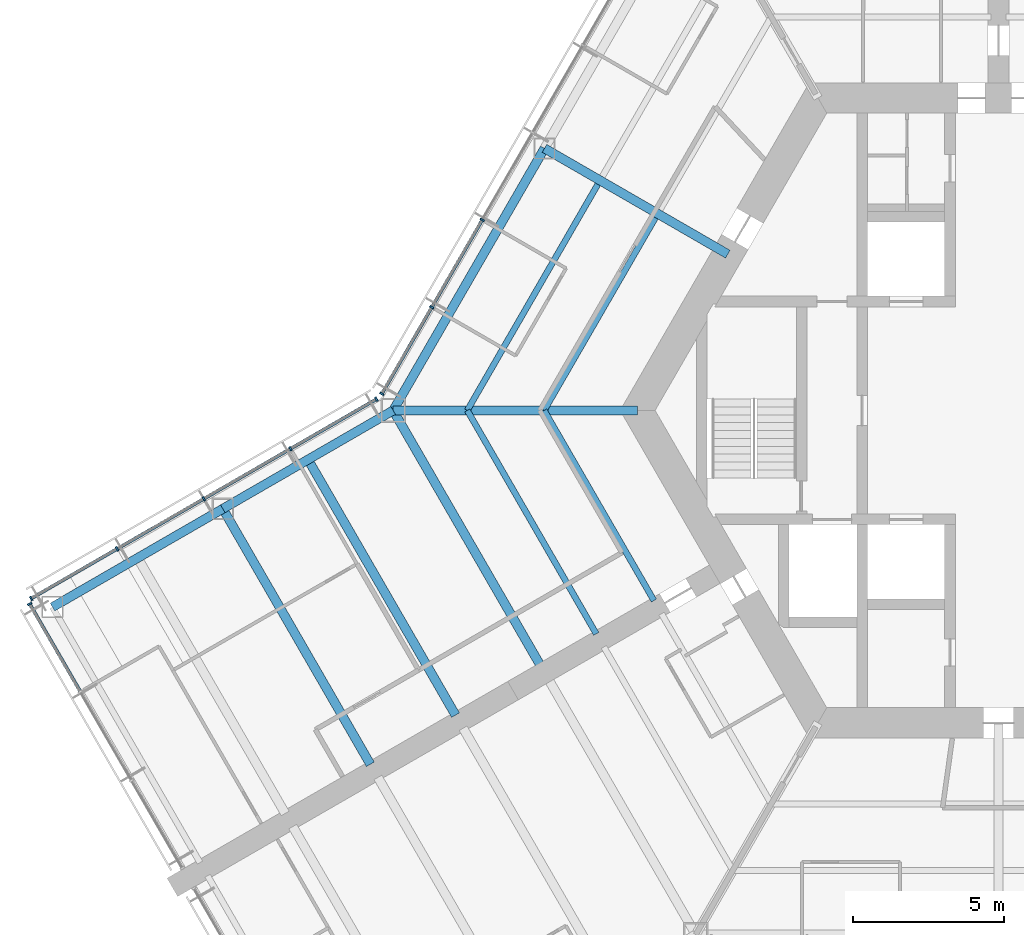
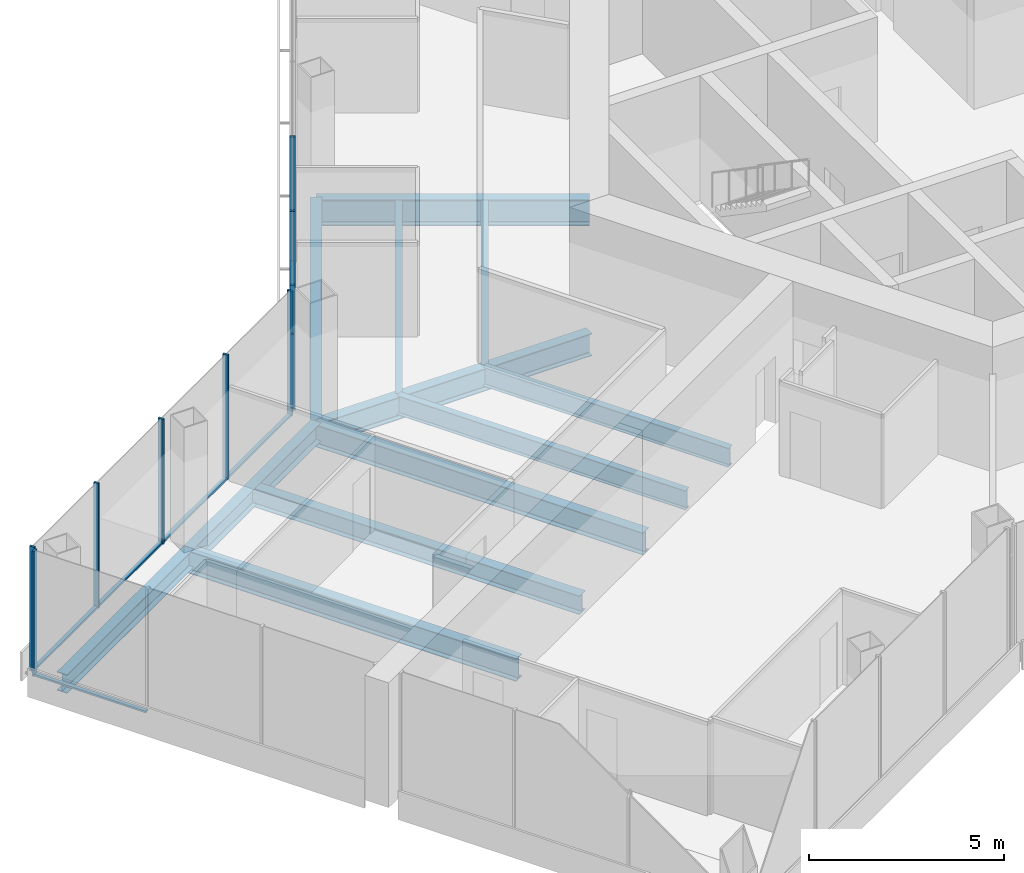
# One storey, part 4 of 18: 16 members, 12 beams, 3 elements without a shape of their own.
"""IFC4 building model written with IfcOpenShell, lengths in metres."""

import ifcopenshell
import ifcopenshell.guid

model = None  # the IFC model being written
_history = None  # IfcOwnerHistory: only IFC2X3 demands one
_inside = {}  # id of a spatial element -> (the spatial element, [elements in it])
_under = {}  # id of a project, library or spatial element -> (it, [spatial elements below it])
_declared = {}  # id of a project -> (the project, [libraries it declares])
_typed = {}  # id of a type object -> (the type object, [elements of that type])
_made_of = {}  # id of a material, layer set ... -> (it, [elements and type objects made of it])


def new_model(schema):
    """Start an empty IFC model of exactly this schema.

    Asked for "IFC4X3", IfcOpenShell would pick the latest addendum, in which some entities
    have other attributes; the version numbers below select the first issue.
    IFC2X3 requires an IfcOwnerHistory on every rooted entity: one is made here for all.
    """
    global model, _history
    if schema == "IFC4X3":
        model = ifcopenshell.file(schema_version=(4, 3, 0, 0))
    else:
        model = ifcopenshell.file(schema=schema)
    _inside.clear()
    _under.clear()
    _declared.clear()
    _typed.clear()
    _made_of.clear()
    _history = None
    if model.schema == "IFC2X3":
        org = make("IfcOrganization", Name="unknown")
        user = make(
            "IfcPersonAndOrganization",
            ThePerson=make("IfcPerson", FamilyName="unknown"),
            TheOrganization=org,
        )
        app = make(
            "IfcApplication",
            ApplicationDeveloper=org,
            Version="unknown",
            ApplicationFullName="unknown",
            ApplicationIdentifier="unknown",
        )
        _history = make(
            "IfcOwnerHistory",
            OwningUser=user,
            OwningApplication=app,
            ChangeAction="ADDED",
            CreationDate=0,
        )
    return model


def make(cls, **values):
    """One entity of the class cls with the attributes given. An attribute that is None is left unset."""
    return model.create_entity(
        cls, **{name: value for name, value in values.items() if value is not None}
    )


def rooted(cls, **values):
    """An entity with a GlobalId (a new one), such as an element, a storey or a relation."""
    return make(cls, GlobalId=ifcopenshell.guid.new(), OwnerHistory=_history, **values)


def si_unit(unit_type, name, prefix=None):
    """IfcSIUnit, for example si_unit("LENGTHUNIT", "METRE", prefix="MILLI")."""
    return make("IfcSIUnit", UnitType=unit_type, Prefix=prefix, Name=name)


def assignment(units):
    """IfcUnitAssignment: the units of a project."""
    return None if units is None else make("IfcUnitAssignment", Units=units)


def point(xyz):
    """IfcCartesianPoint."""
    return None if xyz is None else make("IfcCartesianPoint", Coordinates=xyz)


def direction(xyz):
    """IfcDirection."""
    return None if xyz is None else make("IfcDirection", DirectionRatios=xyz)


def frame(location, z_axis=None, x_axis=None):
    """IfcAxis2Placement3D, a coordinate frame: its origin and axes. An axis left out is left unset."""
    return make(
        "IfcAxis2Placement3D",
        Location=point(location),
        Axis=direction(z_axis),
        RefDirection=direction(x_axis),
    )


def frame_2d(location, x_axis=None):
    """IfcAxis2Placement2D, a coordinate frame in the plane: its origin and x axis."""
    return make(
        "IfcAxis2Placement2D", Location=point(location), RefDirection=direction(x_axis)
    )


def origin():
    """The frame at (0, 0, 0) with its axes left unset."""
    return frame((0.0, 0.0, 0.0))


def origin_2d():
    """The frame at (0, 0) in the plane with its x axis left unset."""
    return frame_2d((0.0, 0.0))


def place(relative_to, where):
    """IfcLocalPlacement: puts the frame where relative to a parent placement (None: the world)."""
    return make(
        "IfcLocalPlacement", PlacementRelTo=relative_to, RelativePlacement=where
    )


def context(
    kind, dimensions, precision=None, world=None, true_north=None, identifier=None
):
    """IfcGeometricRepresentationContext, for example the 3D "Model" context."""
    return make(
        "IfcGeometricRepresentationContext",
        ContextIdentifier=identifier,
        ContextType=kind,
        CoordinateSpaceDimension=dimensions,
        Precision=precision,
        WorldCoordinateSystem=world,
        TrueNorth=true_north,
    )


def subcontext(parent, identifier, kind, view, scale=None):
    """IfcGeometricRepresentationSubContext, for example "Body" below "Model"."""
    return make(
        "IfcGeometricRepresentationSubContext",
        ContextIdentifier=identifier,
        ContextType=kind,
        ParentContext=parent,
        TargetScale=scale,
        TargetView=view,
    )


def project(units=None, contexts=None):
    """IfcProject with its units and contexts."""
    return rooted(
        "IfcProject",
        Name="project",
        RepresentationContexts=contexts,
        UnitsInContext=assignment(units),
    )


def spatial(cls, under=None, at=None, **own):
    """A site, building, storey or space (cls), placed at a placement, below another one or the project."""
    s = rooted(cls, ObjectPlacement=at, **own)
    if under is not None:
        _under.setdefault(under.id(), (under, []))[1].append(s)
    return s


def profile(cls, at=None, kind="AREA", **sizes):
    """A parametric profile (cls). Its sizes go by their IFC names, for example OverallWidth=200.0."""
    return make(cls, ProfileType=kind, Position=at, **sizes)


def rectangle(**sizes):
    """IfcRectangleProfileDef."""
    return profile("IfcRectangleProfileDef", **sizes)


def i_section(**sizes):
    """IfcIShapeProfileDef."""
    return profile("IfcIShapeProfileDef", **sizes)


def extrude(swept, where, along, depth):
    """IfcExtrudedAreaSolid: the profile swept, set in the frame where, extruded along a direction by depth."""
    return make(
        "IfcExtrudedAreaSolid",
        SweptArea=swept,
        Position=where,
        ExtrudedDirection=direction(along),
        Depth=depth,
    )


def shape(context_of_items, identifier, shape_type, items):
    """IfcShapeRepresentation: the items that make up one representation, for example the "Body"."""
    return make(
        "IfcShapeRepresentation",
        ContextOfItems=context_of_items,
        RepresentationIdentifier=identifier,
        RepresentationType=shape_type,
        Items=items,
    )


def material(Name=None, Category=None):
    """IfcMaterial."""
    return make("IfcMaterial", Name=Name, Category=Category)


def material_profile(
    of_material, cross_section, Name=None, Category=None, Priority=None
):
    """IfcMaterialProfile: a cross section and its material."""
    return make(
        "IfcMaterialProfile",
        Name=Name,
        Material=of_material,
        Profile=cross_section,
        Priority=Priority,
        Category=Category,
    )


def profile_set(profiles, Name=None, composite=None):
    """IfcMaterialProfileSet."""
    return make(
        "IfcMaterialProfileSet",
        Name=Name,
        MaterialProfiles=profiles,
        CompositeProfile=composite,
    )


def made_of(thing, what):
    """Note that an element or type object is made of a material, layer set ...; save() writes the relation."""
    if what is not None:
        _made_of.setdefault(what.id(), (what, []))[1].append(thing)
    return thing


def type_object(cls, material=None, **own):
    """A type object (cls), such as IfcWallType, which elements share."""
    return made_of(rooted(cls, **own), material)


def element(
    cls,
    number,
    at=None,
    inside=None,
    cuts=None,
    type_object=None,
    material=None,
    context=None,
    identifier="Body",
    shape_type=None,
    held_by="IfcProductDefinitionShape",
    body=None,
    shapes=None,
    **own,
):
    """One element of the class cls, such as IfcWall. Its Tag is "e" and its number.

    at: its placement. inside: the storey or other place that contains it. cuts: it is an
    opening in that element (IfcRelVoidsElement). A single representation is given by context,
    identifier, shape_type and body (its items); several are given by shapes. held_by: the class
    of the entity that holds the representations. save() writes the other relations.
    """
    e = rooted(cls, Tag="e%d" % number, ObjectPlacement=at, **own)
    if body is not None:
        shapes = [shape(context, identifier, shape_type, body)]
    if shapes is not None:
        e.Representation = make(held_by, Representations=shapes)
    if inside is not None:
        _inside.setdefault(inside.id(), (inside, []))[1].append(e)
    if cuts is not None:
        rooted(
            "IfcRelVoidsElement", RelatingBuildingElement=cuts, RelatedOpeningElement=e
        )
    if type_object is not None:
        _typed.setdefault(type_object.id(), (type_object, []))[1].append(e)
    return made_of(e, material)


def aggregate(whole, parts):
    """IfcRelAggregates: a whole, such as a stair, and the parts it consists of."""
    return rooted("IfcRelAggregates", RelatingObject=whole, RelatedObjects=parts)


def save(model, path):
    """Write the relations noted so far, then the file.

    IfcRelAggregates (storeys below a building ...), IfcRelContainedInSpatialStructure (elements
    in a storey), IfcRelDefinesByType, IfcRelAssociatesMaterial and IfcRelDeclares: one each for
    every whole, place, type object, material and project.
    """
    for whole, parts in _under.values():
        aggregate(whole, parts)
    for where, things in _inside.values():
        rooted(
            "IfcRelContainedInSpatialStructure",
            RelatedElements=things,
            RelatingStructure=where,
        )
    for kind, things in _typed.values():
        rooted("IfcRelDefinesByType", RelatedObjects=things, RelatingType=kind)
    for what, things in _made_of.values():
        rooted("IfcRelAssociatesMaterial", RelatedObjects=things, RelatingMaterial=what)
    for by, libraries in _declared.values():
        rooted("IfcRelDeclares", RelatingContext=by, RelatedDefinitions=libraries)
    model.write(path)


model = new_model("IFC4")

# Units and contexts
model_context = context("Model", 3, precision=1e-05, world=origin(), true_north=direction((0.0, 1.0)))
body_context = subcontext(model_context, "Body", "Model", "MODEL_VIEW")
ifc_project = project(units=[si_unit("LENGTHUNIT", "METRE"), si_unit("AREAUNIT", "SQUARE_METRE"), si_unit("VOLUMEUNIT", "CUBIC_METRE"), si_unit("PLANEANGLEUNIT", "RADIAN"), si_unit("MASSUNIT", "GRAM", prefix="KILO")], contexts=[model_context])

# Site, building, storey
site_placement = place(None, origin())
site = spatial("IfcSite", under=ifc_project, at=site_placement, CompositionType="ELEMENT")
building_placement = place(site_placement, origin())
building = spatial("IfcBuilding", under=site, at=building_placement, Name="Kasaneha Research Tower", CompositionType="ELEMENT")
storey_placement = place(building_placement, frame((0.0, 0.0, 187.699951171875)))
storey = spatial("IfcBuildingStorey", under=building, at=storey_placement, Name="L47", CompositionType="ELEMENT", Elevation=187.699951171875)

# Beams
ifc_material_1 = material(Name="Steel SN490B", Category="steel")
ifc_material_profile_1 = material_profile(ifc_material_1, i_section(OverallWidth=0.199951171875, OverallDepth=0.60009765625, WebThickness=0.010986328125, FlangeThickness=0.01708984375, FilletRadius=0.012939453125, at=origin_2d()), Name="H-600x200x11x17")
ifc_profile_set_1 = profile_set([ifc_material_profile_1], Name="Steel SN490B")
beam_type_1 = type_object("IfcBeamType", Name="B1-3 secondary beam H-600x200x11x17", PredefinedType="JOIST", material=ifc_profile_set_1)
beam_1_placement = place(storey_placement, frame((-15.010986328125, 0.0, -0.449951171875), z_axis=(0.499994443168, 0.866028611999, 0.0), x_axis=(-0.866028611999, 0.499994443168, 0.0)))
element("IfcBeam", 1, at=beam_1_placement, inside=storey, type_object=beam_type_1, Name="Secondary beam RS150R1 L47", PredefinedType="JOIST", context=body_context, shape_type="SweptSolid", body=[
    extrude(i_section(OverallWidth=0.199951171875, OverallDepth=0.60009765625, WebThickness=0.010986328125, FlangeThickness=0.01708984375, FilletRadius=0.012939453125, at=origin_2d()), origin(), (0.0, 0.0, 1.0), 7.35546875),
])
beam_2_placement = place(storey_placement, frame((-17.551513671875, 0.0, -0.449951171875), z_axis=(0.5000050195, 0.866022505755, 0.0), x_axis=(-0.866022505755, 0.5000050195, 0.0)))
element("IfcBeam", 2, at=beam_2_placement, inside=storey, type_object=beam_type_1, Name="Secondary beam RS150R2 L47", PredefinedType="JOIST", context=body_context, shape_type="SweptSolid", body=[
    extrude(i_section(OverallWidth=0.199951171875, OverallDepth=0.60009765625, WebThickness=0.010986328125, FlangeThickness=0.01708984375, FilletRadius=0.012939453125, at=origin_2d()), origin(), (0.0, 0.0, 1.0), 8.6259765625),
])
beam_3_placement = place(storey_placement, frame((-15.010986328125, 0.0, -0.449951171875), z_axis=(0.499993340521, -0.866029248602, 0.0), x_axis=(0.866029248602, 0.499993340521, 0.0)))
element("IfcBeam", 3, at=beam_3_placement, inside=storey, type_object=beam_type_1, Name="Secondary beam RS210L1 L47", PredefinedType="JOIST", context=body_context, shape_type="SweptSolid", body=[
    extrude(i_section(OverallWidth=0.199951171875, OverallDepth=0.60009765625, WebThickness=0.010986328125, FlangeThickness=0.01708984375, FilletRadius=0.012939453125, at=origin_2d()), origin(), (0.0, 0.0, 1.0), 7.25537109375),
])
beam_4_placement = place(storey_placement, frame((-17.551513671875, 0.0, -0.449951171875), z_axis=(0.500004205306, -0.866022975836, 0.0), x_axis=(0.866022975836, 0.500004205306, 0.0)))
element("IfcBeam", 4, at=beam_4_placement, inside=storey, type_object=beam_type_1, Name="Secondary beam RS210L2 L47", PredefinedType="JOIST", context=body_context, shape_type="SweptSolid", body=[
    extrude(i_section(OverallWidth=0.199951171875, OverallDepth=0.60009765625, WebThickness=0.010986328125, FlangeThickness=0.01708984375, FilletRadius=0.012939453125, at=origin_2d()), origin(), (0.0, 0.0, 1.0), 8.52587890625),
])
ifc_material_2 = material(Name="Steel SN490B", Category="steel")
ifc_material_profile_2 = material_profile(ifc_material_2, i_section(OverallWidth=0.300048828125, OverallDepth=0.58203125, WebThickness=0.011962890625, FlangeThickness=0.01708984375, FilletRadius=0.012939453125, at=origin_2d()), Name="H-582x300x12x17")
ifc_profile_set_2 = profile_set([ifc_material_profile_2], Name="Steel SN490B")
beam_type_2 = type_object("IfcBeamType", Name="B2-3 secondary beam H-582x300x12x17", PredefinedType="JOIST", material=ifc_profile_set_2)
beam_5_placement = place(storey_placement, frame((-22.814697265625, -1.625, -0.44091796875), z_axis=(0.499995560238, -0.866027967067, 0.0), x_axis=(0.866027967067, 0.499995560238, 0.0)))
element("IfcBeam", 5, at=beam_5_placement, inside=storey, type_object=beam_type_2, Name="Secondary beam WBBP1 L47", PredefinedType="JOIST", context=body_context, shape_type="SweptSolid", body=[
    extrude(i_section(OverallWidth=0.300048828125, OverallDepth=0.58203125, WebThickness=0.011962890625, FlangeThickness=0.01708984375, FilletRadius=0.012939453125, at=origin_2d()), origin(), (0.0, 0.0, 1.0), 9.75),
])

# Curtain wall, members
ifc_material_3 = material(Name="Glass and aluminium", Category="aluminium")
curtain_wall_type = type_object("IfcCurtainWallType", Name="Mid-rise office curtain wall", PredefinedType="USERDEFINED", material=ifc_material_3)
curtain_wall_1_placement = place(storey_placement, origin())
curtain_wall_1 = element("IfcCurtainWall", 6, at=curtain_wall_1_placement, inside=storey, type_object=curtain_wall_type, Name="CW-O2 L47 run 08a", ObjectType="UNITISED CURTAIN WALL", PredefinedType="USERDEFINED")
ifc_material_4 = material(Name="Aluminium 6063-T6", Category="aluminium")
ifc_material_profile_3 = material_profile(ifc_material_4, rectangle(XDim=0.06005859375, YDim=0.14990234375, at=origin_2d()), Name="CW-O2 mullion 60x150")
ifc_profile_set_3 = profile_set([ifc_material_profile_3], Name="Aluminium 6063-T6")
member_type_1 = type_object("IfcMemberType", Name="CW-O2 mullion", PredefinedType="MULLION", material=ifc_profile_set_3)
member_1_placement = place(storey_placement, frame((-17.058349609375, 6.295166015625, 0.0), z_axis=(0.0, 0.0, 1.0), x_axis=(-0.499999979232, -0.866025415775, 0.0)))
member_1 = element("IfcMember", 7, at=member_1_placement, type_object=member_type_1, Name="CW-O2 mullion 5", PredefinedType="MULLION", context=body_context, shape_type="SweptSolid", body=[
    extrude(rectangle(XDim=0.06005859375, YDim=0.14990234375, at=origin_2d()), origin(), (0.0, 0.0, 1.0), 3.900146484375),
])
member_2_placement = place(storey_placement, frame((-18.723876953125, 3.410400390625, 0.0), z_axis=(0.0, 0.0, 1.0), x_axis=(-0.499999979232, -0.866025415775, 0.0)))
member_2 = element("IfcMember", 8, at=member_2_placement, type_object=member_type_1, Name="CW-O2 mullion 6", PredefinedType="MULLION", context=body_context, shape_type="SweptSolid", body=[
    extrude(rectangle(XDim=0.06005859375, YDim=0.14990234375, at=origin_2d()), origin(), (0.0, 0.0, 1.0), 3.900146484375),
])
member_3_placement = place(storey_placement, frame((-20.374267578125, 0.5517578125, 0.0), z_axis=(0.0, 0.0, 1.0), x_axis=(-0.499999979232, -0.866025415775, 0.0)))
member_3 = element("IfcMember", 9, at=member_3_placement, type_object=member_type_1, Name="CW-O2 mullion 7", PredefinedType="MULLION", context=body_context, shape_type="SweptSolid", body=[
    extrude(rectangle(XDim=0.06005859375, YDim=0.14990234375, at=origin_2d()), origin(), (0.0, 0.0, 1.0), 3.900146484375),
])

curtain_wall_2_placement = place(storey_placement, origin())
curtain_wall_2 = element("IfcCurtainWall", 10, at=curtain_wall_2_placement, inside=storey, type_object=curtain_wall_type, Name="CW-O2 L47 run 09a", ObjectType="UNITISED CURTAIN WALL", PredefinedType="USERDEFINED")
member_4_placement = place(storey_placement, frame((-20.5517578125, 0.374267578125, 0.0), z_axis=(0.0, 0.0, 1.0), x_axis=(-0.866025411464, -0.499999986699, 0.0)))
member_4 = element("IfcMember", 11, at=member_4_placement, type_object=member_type_1, Name="CW-O2 mullion 1", PredefinedType="MULLION", context=body_context, shape_type="SweptSolid", body=[
    extrude(rectangle(XDim=0.06005859375, YDim=0.14990234375, at=origin_2d()), origin(), (0.0, 0.0, 1.0), 3.900146484375),
])
member_5_placement = place(storey_placement, frame((-23.39208984375, -1.265625, 0.0), z_axis=(0.0, 0.0, 1.0), x_axis=(-0.866025411464, -0.499999986699, 0.0)))
member_5 = element("IfcMember", 12, at=member_5_placement, type_object=member_type_1, Name="CW-O2 mullion 2", PredefinedType="MULLION", context=body_context, shape_type="SweptSolid", body=[
    extrude(rectangle(XDim=0.06005859375, YDim=0.14990234375, at=origin_2d()), origin(), (0.0, 0.0, 1.0), 3.900146484375),
])
member_6_placement = place(storey_placement, frame((-26.258544921875, -2.920654296875, 0.0), z_axis=(0.0, 0.0, 1.0), x_axis=(-0.866025411464, -0.499999986699, 0.0)))
member_6 = element("IfcMember", 13, at=member_6_placement, type_object=member_type_1, Name="CW-O2 mullion 3", PredefinedType="MULLION", context=body_context, shape_type="SweptSolid", body=[
    extrude(rectangle(XDim=0.06005859375, YDim=0.14990234375, at=origin_2d()), origin(), (0.0, 0.0, 1.0), 3.900146484375),
])
member_7_placement = place(storey_placement, frame((-29.125, -4.575439453125, 0.0), z_axis=(0.0, 0.0, 1.0), x_axis=(-0.866025411464, -0.499999986699, 0.0)))
member_7 = element("IfcMember", 14, at=member_7_placement, type_object=member_type_1, Name="CW-O2 mullion 4", PredefinedType="MULLION", context=body_context, shape_type="SweptSolid", body=[
    extrude(rectangle(XDim=0.06005859375, YDim=0.14990234375, at=origin_2d()), origin(), (0.0, 0.0, 1.0), 3.900146484375),
])
member_8_placement = place(storey_placement, frame((-31.96533203125, -6.21533203125, 0.0), z_axis=(0.0, 0.0, 1.0), x_axis=(-0.866025411464, -0.499999986699, 0.0)))
member_8 = element("IfcMember", 15, at=member_8_placement, type_object=member_type_1, Name="CW-O2 mullion 5", PredefinedType="MULLION", context=body_context, shape_type="SweptSolid", body=[
    extrude(rectangle(XDim=0.06005859375, YDim=0.14990234375, at=origin_2d()), origin(), (0.0, 0.0, 1.0), 3.900146484375),
])

# Curtain wall, member
curtain_wall_3_placement = place(storey_placement, origin())
curtain_wall_3 = element("IfcCurtainWall", 16, at=curtain_wall_3_placement, inside=storey, type_object=curtain_wall_type, Name="CW-O2 L47 run 10a", ObjectType="UNITISED CURTAIN WALL", PredefinedType="USERDEFINED")
member_9_placement = place(storey_placement, frame((-32.012939453125, -6.39306640625, 0.0), z_axis=(0.0, 0.0, 1.0), x_axis=(0.500000011442, -0.866025397178, 0.0)))
member_9 = element("IfcMember", 17, at=member_9_placement, type_object=member_type_1, Name="CW-O2 mullion 1", PredefinedType="MULLION", context=body_context, shape_type="SweptSolid", body=[
    extrude(rectangle(XDim=0.06005859375, YDim=0.14990234375, at=origin_2d()), origin(), (0.0, 0.0, 1.0), 3.900146484375),
])

# Member
ifc_material_5 = material(Name="Aluminium 6063-T6", Category="aluminium")
ifc_material_profile_4 = material_profile(ifc_material_5, rectangle(XDim=0.110107421875, YDim=0.06005859375, at=origin_2d()), Name="CW-O2 transom 110x60")
ifc_profile_set_4 = profile_set([ifc_material_profile_4], Name="Aluminium 6063-T6")
member_type_2 = type_object("IfcMemberType", Name="CW-O2 transom", PredefinedType="USERDEFINED", material=ifc_profile_set_4)
member_10_placement = place(storey_placement, frame((-17.0732421875, 6.269287109375, 0.030029296875), z_axis=(-0.500000270186, -0.866025247793, 0.0), x_axis=(0.866025247793, -0.500000270186, 0.0)))
member_10 = element("IfcMember", 18, at=member_10_placement, type_object=member_type_2, Name="CW-O2 transom 5", ObjectType="TRANSOM", PredefinedType="USERDEFINED", context=body_context, shape_type="SweptSolid", body=[
    extrude(rectangle(XDim=0.110107421875, YDim=0.06005859375, at=origin_2d()), origin(), (0.0, 0.0, 1.0), 3.27099609375),
])

member_11_placement = place(storey_placement, frame((-18.73876953125, 3.384521484375, 0.030029296875), z_axis=(-0.499987643696, -0.866032537582, 0.0), x_axis=(0.866032537582, -0.499987643696, 0.0)))
member_11 = element("IfcMember", 19, at=member_11_placement, type_object=member_type_2, Name="CW-O2 transom 6", ObjectType="TRANSOM", PredefinedType="USERDEFINED", context=body_context, shape_type="SweptSolid", body=[
    extrude(rectangle(XDim=0.110107421875, YDim=0.06005859375, at=origin_2d()), origin(), (0.0, 0.0, 1.0), 3.24072265625),
])

aggregate(curtain_wall_1, [member_1, member_2, member_3, member_10, member_11])

member_12_placement = place(storey_placement, frame((-20.577880859375, 0.359130859375, 0.030029296875), z_axis=(-0.866022692473, -0.500004696101, 0.0), x_axis=(0.500004696101, -0.866022692473, 0.0)))
member_12 = element("IfcMember", 20, at=member_12_placement, type_object=member_type_2, Name="CW-O2 transom 1", ObjectType="TRANSOM", PredefinedType="USERDEFINED", context=body_context, shape_type="SweptSolid", body=[
    extrude(rectangle(XDim=0.110107421875, YDim=0.06005859375, at=origin_2d()), origin(), (0.0, 0.0, 1.0), 3.2197265625),
])

member_13_placement = place(storey_placement, frame((-23.418212890625, -1.28076171875, 0.030029296875), z_axis=(-0.86604797581, -0.499960902066, 0.0), x_axis=(0.499960902066, -0.86604797581, 0.0)))
member_13 = element("IfcMember", 21, at=member_13_placement, type_object=member_type_2, Name="CW-O2 transom 2", ObjectType="TRANSOM", PredefinedType="USERDEFINED", context=body_context, shape_type="SweptSolid", body=[
    extrude(rectangle(XDim=0.110107421875, YDim=0.06005859375, at=origin_2d()), origin(), (0.0, 0.0, 1.0), 3.249755859375),
])

member_14_placement = place(storey_placement, frame((-26.28466796875, -2.935546875, 0.030029296875), z_axis=(-0.86599666273, -0.500049777664, 0.0), x_axis=(0.500049777664, -0.86599666273, 0.0)))
member_14 = element("IfcMember", 22, at=member_14_placement, type_object=member_type_2, Name="CW-O2 transom 3", ObjectType="TRANSOM", PredefinedType="USERDEFINED", context=body_context, shape_type="SweptSolid", body=[
    extrude(rectangle(XDim=0.110107421875, YDim=0.06005859375, at=origin_2d()), origin(), (0.0, 0.0, 1.0), 3.249755859375),
])

member_15_placement = place(storey_placement, frame((-29.15087890625, -4.590576171875, 0.030029296875), z_axis=(-0.866041647767, -0.499971863542, 0.0), x_axis=(0.499971863542, -0.866041647767, 0.0)))
member_15 = element("IfcMember", 23, at=member_15_placement, type_object=member_type_2, Name="CW-O2 transom 4", ObjectType="TRANSOM", PredefinedType="USERDEFINED", context=body_context, shape_type="SweptSolid", body=[
    extrude(rectangle(XDim=0.110107421875, YDim=0.06005859375, at=origin_2d()), origin(), (0.0, 0.0, 1.0), 3.219970703125),
])

aggregate(curtain_wall_2, [member_4, member_5, member_6, member_7, member_8, member_12, member_13, member_14, member_15])

member_16_placement = place(storey_placement, frame((-31.998046875, -6.4189453125, 0.030029296875), z_axis=(0.500021914551, -0.866012751043, 0.0), x_axis=(0.866012751043, 0.500021914551, 0.0)))
member_16 = element("IfcMember", 24, at=member_16_placement, type_object=member_type_2, Name="CW-O2 transom 1", ObjectType="TRANSOM", PredefinedType="USERDEFINED", context=body_context, shape_type="SweptSolid", body=[
    extrude(rectangle(XDim=0.110107421875, YDim=0.06005859375, at=origin_2d()), origin(), (0.0, 0.0, 1.0), 3.293212890625),
])

aggregate(curtain_wall_3, [member_9, member_16])

# Beams
ifc_material_6 = material(Name="Steel SN490B", Category="steel")
ifc_material_profile_5 = material_profile(ifc_material_6, i_section(OverallWidth=0.300048828125, OverallDepth=0.699951171875, WebThickness=0.012939453125, FlangeThickness=0.02392578125, FilletRadius=0.01806640625, at=origin_2d()), Name="H-700x300x13x24")
ifc_profile_set_5 = profile_set([ifc_material_profile_5], Name="Steel SN490B")
beam_type_3 = type_object("IfcBeamType", Name="G1-3 radial girder H-700x300x13x24", PredefinedType="BEAM", material=ifc_profile_set_5)
beam_6_placement = place(storey_placement, frame((-11.92236328125, 0.0, -0.5), z_axis=(-1.0, 0.0, 0.0), x_axis=(0.0, -1.0, 0.0)))
element("IfcBeam", 25, at=beam_6_placement, inside=storey, type_object=beam_type_3, Name="Radial girder RV180 L47", PredefinedType="BEAM", context=body_context, shape_type="SweptSolid", body=[
    extrude(i_section(OverallWidth=0.300048828125, OverallDepth=0.699951171875, WebThickness=0.012939453125, FlangeThickness=0.02392578125, FilletRadius=0.01806640625, at=origin_2d()), origin(), (0.0, 0.0, 1.0), 8.07763671875),
])
ifc_material_7 = material(Name="Steel SN490B", Category="steel")
ifc_material_profile_6 = material_profile(ifc_material_7, i_section(OverallWidth=0.300048828125, OverallDepth=0.800048828125, WebThickness=0.013916015625, FlangeThickness=0.02587890625, FilletRadius=0.01806640625, at=origin_2d()), Name="H-800x300x14x26")
ifc_profile_set_6 = profile_set([ifc_material_profile_6], Name="Steel SN490B")
beam_type_4 = type_object("IfcBeamType", Name="G2-3 radial girder H-800x300x14x26", PredefinedType="BEAM", material=ifc_profile_set_6)
beam_7_placement = place(storey_placement, frame((-8.941650390625, 5.16259765625, -0.550048828125), z_axis=(-0.866039713508, 0.499975214012, 0.0), x_axis=(-0.499975214012, -0.866039713508, 0.0)))
element("IfcBeam", 26, at=beam_7_placement, inside=storey, type_object=beam_type_4, Name="Radial girder RM150 L47", PredefinedType="BEAM", context=body_context, shape_type="SweptSolid", body=[
    extrude(i_section(OverallWidth=0.300048828125, OverallDepth=0.800048828125, WebThickness=0.013916015625, FlangeThickness=0.02587890625, FilletRadius=0.01806640625, at=origin_2d()), origin(), (0.0, 0.0, 1.0), 6.995361328125),
])
ifc_material_8 = material(Name="Steel SN490B", Category="steel")
ifc_material_profile_7 = material_profile(ifc_material_8, i_section(OverallWidth=0.300048828125, OverallDepth=0.69189453125, WebThickness=0.012939453125, FlangeThickness=0.02001953125, FilletRadius=0.01806640625, at=origin_2d()), Name="H-692x300x13x20")
ifc_profile_set_7 = profile_set([ifc_material_profile_7], Name="Steel SN490B")
beam_type_5 = type_object("IfcBeamType", Name="G3-3 plate edge girder H-692x300x13x20", PredefinedType="BEAM", material=ifc_profile_set_7)
beam_8_placement = place(storey_placement, frame((-20.0, 0.0, -0.495849609375), z_axis=(0.499995560238, -0.866027967067, 0.0), x_axis=(0.866027967067, 0.499995560238, 0.0)))
element("IfcBeam", 27, at=beam_8_placement, inside=storey, type_object=beam_type_5, Name="Plate edge girder PEBP L47", PredefinedType="BEAM", context=body_context, shape_type="SweptSolid", body=[
    extrude(i_section(OverallWidth=0.300048828125, OverallDepth=0.69189453125, WebThickness=0.012939453125, FlangeThickness=0.02001953125, FilletRadius=0.01806640625, at=origin_2d()), origin(), (0.0, 0.0, 1.0), 9.75),
])
ifc_material_9 = material(Name="Steel SN490B", Category="steel")
ifc_material_profile_8 = material_profile(ifc_material_9, i_section(OverallWidth=0.300048828125, OverallDepth=0.699951171875, WebThickness=0.012939453125, FlangeThickness=0.02392578125, FilletRadius=0.01806640625, at=origin_2d()), Name="H-700x300x13x24")
ifc_profile_set_8 = profile_set([ifc_material_profile_8], Name="Steel SN490B")
beam_type_6 = type_object("IfcBeamType", Name="G4-3 wing girder H-700x300x13x24", PredefinedType="BEAM", material=ifc_profile_set_8)
beam_9_placement = place(storey_placement, frame((-25.629150390625, -3.25, -0.5), z_axis=(0.499995560238, -0.866027967067, 0.0), x_axis=(0.866027967067, 0.499995560238, 0.0)))
element("IfcBeam", 28, at=beam_9_placement, inside=storey, type_object=beam_type_6, Name="Wing girder WGBP L47", PredefinedType="BEAM", context=body_context, shape_type="SweptSolid", body=[
    extrude(i_section(OverallWidth=0.300048828125, OverallDepth=0.699951171875, WebThickness=0.012939453125, FlangeThickness=0.02392578125, FilletRadius=0.01806640625, at=origin_2d()), origin(), (0.0, 0.0, 1.0), 9.75),
])
ifc_material_10 = material(Name="Steel SN490B", Category="steel")
ifc_material_profile_9 = material_profile(ifc_material_10, i_section(OverallWidth=0.300048828125, OverallDepth=0.69189453125, WebThickness=0.012939453125, FlangeThickness=0.02001953125, FilletRadius=0.01806640625, at=origin_2d()), Name="H-692x300x13x20")
ifc_profile_set_9 = profile_set([ifc_material_profile_9], Name="Steel SN490B")
beam_type_7 = type_object("IfcBeamType", Name="SB1-3 spandrel beam H-692x300x13x20", PredefinedType="SPANDREL", material=ifc_profile_set_9)
beam_10_placement = place(storey_placement, frame((-20.0, 0.0, -0.495849609375), z_axis=(0.500004234368, 0.866022959057, 0.0), x_axis=(-0.866022959057, 0.500004234368, 0.0)))
element("IfcBeam", 29, at=beam_10_placement, inside=storey, type_object=beam_type_7, Name="Spandrel beam SR150R L47", PredefinedType="SPANDREL", context=body_context, shape_type="SweptSolid", body=[
    extrude(i_section(OverallWidth=0.300048828125, OverallDepth=0.69189453125, WebThickness=0.012939453125, FlangeThickness=0.02001953125, FilletRadius=0.01806640625, at=origin_2d()), origin(), (0.0, 0.0, 1.0), 10.0),
])
ifc_material_11 = material(Name="Steel SN490B", Category="steel")
ifc_material_profile_10 = material_profile(ifc_material_11, i_section(OverallWidth=0.300048828125, OverallDepth=0.58203125, WebThickness=0.011962890625, FlangeThickness=0.01708984375, FilletRadius=0.012939453125, at=origin_2d()), Name="H-582x300x12x17")
ifc_profile_set_10 = profile_set([ifc_material_profile_10], Name="Steel SN490B")
beam_type_8 = type_object("IfcBeamType", Name="SB2-3 spandrel beam H-582x300x12x17", PredefinedType="SPANDREL", material=ifc_profile_set_10)
for number, where, z_axis, x_axis, name in (
    (30, (-20.0, 0.0, -0.44091796875), (-0.866024837091, -0.50000098154, 0.0), (0.50000098154, -0.866024837091, 0.0), "Spandrel beam WSBP1 L47"),
    (31, (-25.629150390625, -3.25, -0.44091796875), (-0.866024837091, -0.50000098154, 0.0), (0.50000098154, -0.866024837091, 0.0), "Spandrel beam WSBP2 L47"),
):
    element("IfcBeam", number, at=place(storey_placement, frame(where, z_axis=z_axis, x_axis=x_axis)), inside=storey, type_object=beam_type_8, Name=name, PredefinedType="SPANDREL", context=body_context, shape_type="SweptSolid", body=[
        extrude(i_section(OverallWidth=0.300048828125, OverallDepth=0.58203125, WebThickness=0.011962890625, FlangeThickness=0.01708984375, FilletRadius=0.012939453125, at=origin_2d()), origin(), (0.0, 0.0, 1.0), 6.5),
    ])

save(model, "model.ifc")
